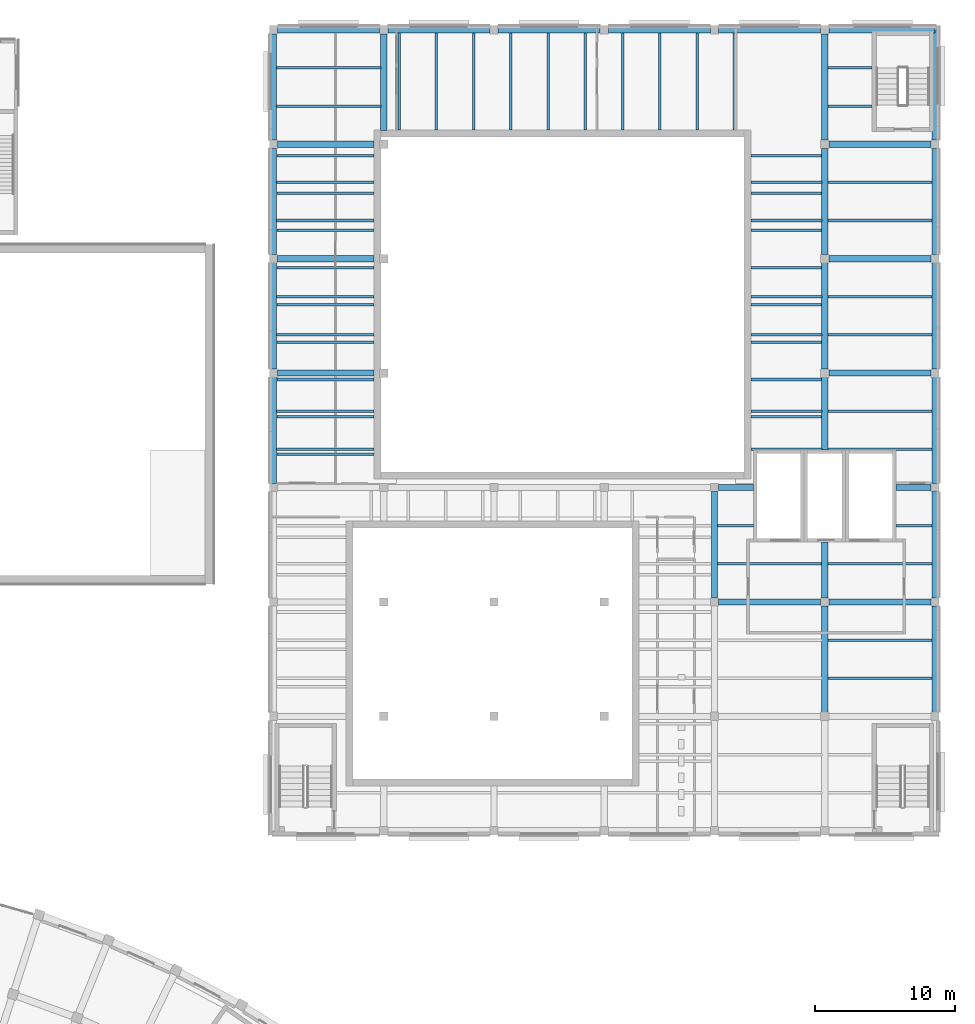
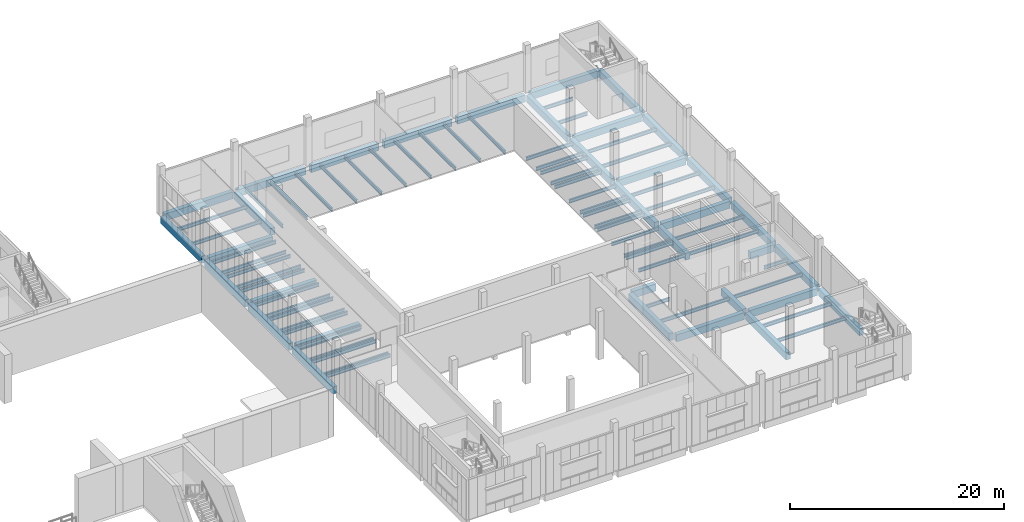
# One storey, part 29 of 112: 89 beams.
"""IFC4 building model written with IfcOpenShell, lengths in metres."""

from ifc_helpers import new_model, si_unit, direction, frame, origin, origin_2d, place, context, subcontext, project, spatial, rectangle, i_section, extrude, material, material_profile, profile_set, type_object, element, save


model = new_model("IFC4")

# Units and contexts
model_context = context("Model", 3, precision=1e-05, world=origin(), true_north=direction((0.0, 1.0)))
body_context = subcontext(model_context, "Body", "Model", "MODEL_VIEW")
ifc_project = project(units=[si_unit("LENGTHUNIT", "METRE"), si_unit("AREAUNIT", "SQUARE_METRE"), si_unit("VOLUMEUNIT", "CUBIC_METRE"), si_unit("PLANEANGLEUNIT", "RADIAN"), si_unit("MASSUNIT", "GRAM", prefix="KILO")], contexts=[model_context])

# Site, building, storey
site_placement = place(None, origin())
site = spatial("IfcSite", under=ifc_project, at=site_placement, CompositionType="ELEMENT")
building_placement = place(site_placement, origin())
building = spatial("IfcBuilding", under=site, at=building_placement, Name="Lunette Opera House", CompositionType="ELEMENT")
storey_placement = place(building_placement, frame((0.0, 0.0, 6.0)))
storey = spatial("IfcBuildingStorey", under=building, at=storey_placement, Name="L01", CompositionType="ELEMENT", Elevation=6.0)

# Beams
ifc_material_1 = material(Name="Concrete C35/45", Category="concrete")
ifc_material_profile_1 = material_profile(ifc_material_1, rectangle(XDim=0.449951171875, YDim=0.800048828125, at=origin_2d()), Name="RC BEAM 450X800")
ifc_profile_set_1 = profile_set([ifc_material_profile_1], Name="Concrete C35/45")
beam_type_1 = type_object("IfcBeamType", Name="RC BEAM 450X800", PredefinedType="BEAM", material=ifc_profile_set_1)
for number, where, z_axis, x_axis, name in (
    (1, (136.300048828125, 103.18994140625, -0.550048828125), (0.0, 1.0, 0.0), (-1.0, 0.0, 0.0), "beam-WW-L01-L01-GY03"),
    (2, (136.300048828125, 111.389892578125, -0.550048828125), (0.0, 1.0, 0.0), (-1.0, 0.0, 0.0), "beam-WW-L01-L01-GY04"),
):
    element("IfcBeam", number, at=place(storey_placement, frame(where, z_axis=z_axis, x_axis=x_axis)), inside=storey, type_object=beam_type_1, Name=name, PredefinedType="BEAM", context=body_context, shape_type="SweptSolid", body=[
        extrude(rectangle(XDim=0.449951171875, YDim=0.800048828125, at=origin_2d()), origin(), (0.0, 0.0, 1.0), 7.6201171875),
    ])
for number, where, z_axis, x_axis, name in (
    (3, (136.300048828125, 119.590087890625, -0.550048828125), (0.0, 1.0, 0.0), (-1.0, 0.0, 0.0), "beam-WW-L01-L01-GY05"),
    (4, (136.300048828125, 127.7900390625, -0.550048828125), (0.0, 1.0, 0.0), (-1.0, 0.0, 0.0), "beam-WW-L01-L01-GY06"),
):
    element("IfcBeam", number, at=place(storey_placement, frame(where, z_axis=z_axis, x_axis=x_axis)), inside=storey, type_object=beam_type_1, Name=name, PredefinedType="BEAM", context=body_context, shape_type="SweptSolid", body=[
        extrude(rectangle(XDim=0.449951171875, YDim=0.800048828125, at=origin_2d()), origin(), (0.0, 0.0, 1.0), 7.619873046875),
    ])
beam_1_placement = place(storey_placement, frame((144.199951171875, 128.489990234375, -0.550048828125), z_axis=(0.0, 1.0, 0.0), x_axis=(-1.0, 0.0, 0.0)))
element("IfcBeam", 5, at=beam_1_placement, inside=storey, type_object=beam_type_1, Name="beam-WW-L01-L01-GY16", PredefinedType="BEAM", context=body_context, shape_type="SweptSolid", body=[
    extrude(rectangle(XDim=0.449951171875, YDim=0.800048828125, at=origin_2d()), origin(), (0.0, 0.0, 1.0), 6.919921875),
])
beam_2_placement = place(storey_placement, frame((167.89990234375, 94.989990234375, -0.550048828125), z_axis=(0.0, 1.0, 0.0), x_axis=(-1.0, 0.0, 0.0)))
element("IfcBeam", 6, at=beam_2_placement, inside=storey, type_object=beam_type_1, Name="beam-WW-L01-L01-GY42", PredefinedType="BEAM", context=body_context, shape_type="SweptSolid", body=[
    extrude(rectangle(XDim=0.449951171875, YDim=0.800048828125, at=origin_2d()), origin(), (0.0, 0.0, 1.0), 7.6201171875),
])
beam_3_placement = place(storey_placement, frame((175.800048828125, 86.7900390625, -0.550048828125), z_axis=(0.0, 1.0, 0.0), x_axis=(-1.0, 0.0, 0.0)))
element("IfcBeam", 7, at=beam_3_placement, inside=storey, type_object=beam_type_1, Name="beam-WW-L01-L01-GY51", PredefinedType="BEAM", context=body_context, shape_type="SweptSolid", body=[
    extrude(rectangle(XDim=0.449951171875, YDim=0.800048828125, at=origin_2d()), origin(), (0.0, 0.0, 1.0), 7.619873046875),
])
beam_4_placement = place(storey_placement, frame((175.800048828125, 94.989990234375, -0.550048828125), z_axis=(0.0, 1.0, 0.0), x_axis=(-1.0, 0.0, 0.0)))
element("IfcBeam", 8, at=beam_4_placement, inside=storey, type_object=beam_type_1, Name="beam-WW-L01-L01-GY52", PredefinedType="BEAM", context=body_context, shape_type="SweptSolid", body=[
    extrude(rectangle(XDim=0.449951171875, YDim=0.800048828125, at=origin_2d()), origin(), (0.0, 0.0, 1.0), 4.02001953125),
])
beam_5_placement = place(storey_placement, frame((175.800048828125, 105.590087890625, -0.550048828125), z_axis=(0.0, 1.0, 0.0), x_axis=(-1.0, 0.0, 0.0)))
element("IfcBeam", 9, at=beam_5_placement, inside=storey, type_object=beam_type_1, Name="beam-WW-L01-L01-GY53", PredefinedType="BEAM", context=body_context, shape_type="SweptSolid", body=[
    extrude(rectangle(XDim=0.449951171875, YDim=0.800048828125, at=origin_2d()), origin(), (0.0, 0.0, 1.0), 5.219970703125),
])
beam_6_placement = place(storey_placement, frame((175.800048828125, 111.389892578125, -0.550048828125), z_axis=(0.0, 1.0, 0.0), x_axis=(-1.0, 0.0, 0.0)))
element("IfcBeam", 10, at=beam_6_placement, inside=storey, type_object=beam_type_1, Name="beam-WW-L01-L01-GY54", PredefinedType="BEAM", context=body_context, shape_type="SweptSolid", body=[
    extrude(rectangle(XDim=0.449951171875, YDim=0.800048828125, at=origin_2d()), origin(), (0.0, 0.0, 1.0), 7.6201171875),
])
for number, where, z_axis, x_axis, name in (
    (11, (175.800048828125, 119.590087890625, -0.550048828125), (0.0, 1.0, 0.0), (-1.0, 0.0, 0.0), "beam-WW-L01-L01-GY55"),
    (12, (175.800048828125, 127.7900390625, -0.550048828125), (0.0, 1.0, 0.0), (-1.0, 0.0, 0.0), "beam-WW-L01-L01-GY56"),
    (13, (183.699951171875, 86.7900390625, -0.550048828125), (0.0, 1.0, 0.0), (-1.0, 0.0, 0.0), "beam-WW-L01-L01-GY61"),
):
    element("IfcBeam", number, at=place(storey_placement, frame(where, z_axis=z_axis, x_axis=x_axis)), inside=storey, type_object=beam_type_1, Name=name, PredefinedType="BEAM", context=body_context, shape_type="SweptSolid", body=[
        extrude(rectangle(XDim=0.449951171875, YDim=0.800048828125, at=origin_2d()), origin(), (0.0, 0.0, 1.0), 7.619873046875),
    ])
for number, where, z_axis, x_axis, name in (
    (14, (183.699951171875, 94.989990234375, -0.550048828125), (0.0, 1.0, 0.0), (-1.0, 0.0, 0.0), "beam-WW-L01-L01-GY62"),
    (15, (183.699951171875, 103.18994140625, -0.550048828125), (0.0, 1.0, 0.0), (-1.0, 0.0, 0.0), "beam-WW-L01-L01-GY63"),
    (16, (183.699951171875, 111.389892578125, -0.550048828125), (0.0, 1.0, 0.0), (-1.0, 0.0, 0.0), "beam-WW-L01-L01-GY64"),
):
    element("IfcBeam", number, at=place(storey_placement, frame(where, z_axis=z_axis, x_axis=x_axis)), inside=storey, type_object=beam_type_1, Name=name, PredefinedType="BEAM", context=body_context, shape_type="SweptSolid", body=[
        extrude(rectangle(XDim=0.449951171875, YDim=0.800048828125, at=origin_2d()), origin(), (0.0, 0.0, 1.0), 7.6201171875),
    ])
beam_7_placement = place(storey_placement, frame((183.699951171875, 119.590087890625, -0.550048828125), z_axis=(0.0, 1.0, 0.0), x_axis=(-1.0, 0.0, 0.0)))
element("IfcBeam", 17, at=beam_7_placement, inside=storey, type_object=beam_type_1, Name="beam-WW-L01-L01-GY65", PredefinedType="BEAM", context=body_context, shape_type="SweptSolid", body=[
    extrude(rectangle(XDim=0.449951171875, YDim=0.800048828125, at=origin_2d()), origin(), (0.0, 0.0, 1.0), 7.619873046875),
])
beam_8_placement = place(storey_placement, frame((183.699951171875, 127.7900390625, -0.550048828125), z_axis=(0.0, 1.0, 0.0), x_axis=(-1.0, 0.0, 0.0)))
element("IfcBeam", 18, at=beam_8_placement, inside=storey, type_object=beam_type_1, Name="beam-WW-L01-L01-GY66", PredefinedType="BEAM", context=body_context, shape_type="SweptSolid", body=[
    extrude(rectangle(XDim=0.449951171875, YDim=0.800048828125, at=origin_2d()), origin(), (0.0, 0.0, 1.0), 7.909912109375),
])
beam_9_placement = place(storey_placement, frame((168.18994140625, 94.699951171875, -0.550048828125), z_axis=(1.0, 0.0, 0.0), x_axis=(0.0, 1.0, 0.0)))
element("IfcBeam", 19, at=beam_9_placement, inside=storey, type_object=beam_type_1, Name="beam-WW-L01-L01-GX42", PredefinedType="BEAM", context=body_context, shape_type="SweptSolid", body=[
    extrude(rectangle(XDim=0.449951171875, YDim=0.800048828125, at=origin_2d()), origin(), (0.0, 0.0, 1.0), 7.320068359375),
])
beam_10_placement = place(storey_placement, frame((176.090087890625, 94.699951171875, -0.550048828125), z_axis=(1.0, 0.0, 0.0), x_axis=(0.0, 1.0, 0.0)))
element("IfcBeam", 20, at=beam_10_placement, inside=storey, type_object=beam_type_1, Name="beam-WW-L01-L01-GX52", PredefinedType="BEAM", context=body_context, shape_type="SweptSolid", body=[
    extrude(rectangle(XDim=0.449951171875, YDim=0.800048828125, at=origin_2d()), origin(), (0.0, 0.0, 1.0), 7.31982421875),
])
for number, where, z_axis, x_axis, name in (
    (21, (168.18994140625, 102.89990234375, -0.550048828125), (1.0, 0.0, 0.0), (0.0, 1.0, 0.0), "beam-WW-L01-L01-GX43"),
    (22, (180.889892578125, 102.89990234375, -0.550048828125), (1.0, 0.0, 0.0), (0.0, 1.0, 0.0), "beam-WW-L01-L01-GX53"),
):
    element("IfcBeam", number, at=place(storey_placement, frame(where, z_axis=z_axis, x_axis=x_axis)), inside=storey, type_object=beam_type_1, Name=name, PredefinedType="BEAM", context=body_context, shape_type="SweptSolid", body=[
        extrude(rectangle(XDim=0.449951171875, YDim=0.800048828125, at=origin_2d()), origin(), (0.0, 0.0, 1.0), 2.52001953125),
    ])
beam_11_placement = place(storey_placement, frame((136.590087890625, 111.10009765625, -0.550048828125), z_axis=(1.0, 0.0, 0.0), x_axis=(0.0, 1.0, 0.0)))
element("IfcBeam", 23, at=beam_11_placement, inside=storey, type_object=beam_type_1, Name="beam-WW-L01-L01-GX04", PredefinedType="BEAM", context=body_context, shape_type="SweptSolid", body=[
    extrude(rectangle(XDim=0.449951171875, YDim=0.800048828125, at=origin_2d()), origin(), (0.0, 0.0, 1.0), 6.919921875),
])
beam_12_placement = place(storey_placement, frame((176.090087890625, 111.10009765625, -0.550048828125), z_axis=(1.0, 0.0, 0.0), x_axis=(0.0, 1.0, 0.0)))
element("IfcBeam", 24, at=beam_12_placement, inside=storey, type_object=beam_type_1, Name="beam-WW-L01-L01-GX54", PredefinedType="BEAM", context=body_context, shape_type="SweptSolid", body=[
    extrude(rectangle(XDim=0.449951171875, YDim=0.800048828125, at=origin_2d()), origin(), (0.0, 0.0, 1.0), 7.31982421875),
])
beam_13_placement = place(storey_placement, frame((136.590087890625, 119.300048828125, -0.550048828125), z_axis=(1.0, 0.0, 0.0), x_axis=(0.0, 1.0, 0.0)))
element("IfcBeam", 25, at=beam_13_placement, inside=storey, type_object=beam_type_1, Name="beam-WW-L01-L01-GX05", PredefinedType="BEAM", context=body_context, shape_type="SweptSolid", body=[
    extrude(rectangle(XDim=0.449951171875, YDim=0.800048828125, at=origin_2d()), origin(), (0.0, 0.0, 1.0), 6.919921875),
])
beam_14_placement = place(storey_placement, frame((176.090087890625, 119.300048828125, -0.550048828125), z_axis=(1.0, 0.0, 0.0), x_axis=(0.0, 1.0, 0.0)))
element("IfcBeam", 26, at=beam_14_placement, inside=storey, type_object=beam_type_1, Name="beam-WW-L01-L01-GX55", PredefinedType="BEAM", context=body_context, shape_type="SweptSolid", body=[
    extrude(rectangle(XDim=0.449951171875, YDim=0.800048828125, at=origin_2d()), origin(), (0.0, 0.0, 1.0), 7.31982421875),
])
beam_15_placement = place(storey_placement, frame((136.590087890625, 127.5, -0.550048828125), z_axis=(1.0, 0.0, 0.0), x_axis=(0.0, 1.0, 0.0)))
element("IfcBeam", 27, at=beam_15_placement, inside=storey, type_object=beam_type_1, Name="beam-WW-L01-L01-GX06", PredefinedType="BEAM", context=body_context, shape_type="SweptSolid", body=[
    extrude(rectangle(XDim=0.449951171875, YDim=0.800048828125, at=origin_2d()), origin(), (0.0, 0.0, 1.0), 6.919921875),
])
for number, where, z_axis, x_axis, name in (
    (28, (176.090087890625, 127.5, -0.550048828125), (1.0, 0.0, 0.0), (0.0, 1.0, 0.0), "beam-WW-L01-L01-GX56"),
    (29, (136.590087890625, 135.699951171875, -0.550048828125), (1.0, 0.0, 0.0), (0.0, 1.0, 0.0), "beam-WW-L01-L01-GX07"),
):
    element("IfcBeam", number, at=place(storey_placement, frame(where, z_axis=z_axis, x_axis=x_axis)), inside=storey, type_object=beam_type_1, Name=name, PredefinedType="BEAM", context=body_context, shape_type="SweptSolid", body=[
        extrude(rectangle(XDim=0.449951171875, YDim=0.800048828125, at=origin_2d()), origin(), (0.0, 0.0, 1.0), 7.31982421875),
    ])
for number, where, z_axis, x_axis, name in (
    (30, (144.489990234375, 135.699951171875, -0.550048828125), (1.0, 0.0, 0.0), (0.0, 1.0, 0.0), "beam-WW-L01-L01-GX17"),
    (31, (152.389892578125, 135.699951171875, -0.550048828125), (1.0, 0.0, 0.0), (0.0, 1.0, 0.0), "beam-WW-L01-L01-GX27"),
    (32, (160.2900390625, 135.699951171875, -0.550048828125), (1.0, 0.0, 0.0), (0.0, 1.0, 0.0), "beam-WW-L01-L01-GX37"),
    (33, (168.18994140625, 135.699951171875, -0.550048828125), (1.0, 0.0, 0.0), (0.0, 1.0, 0.0), "beam-WW-L01-L01-GX47"),
):
    element("IfcBeam", number, at=place(storey_placement, frame(where, z_axis=z_axis, x_axis=x_axis)), inside=storey, type_object=beam_type_1, Name=name, PredefinedType="BEAM", context=body_context, shape_type="SweptSolid", body=[
        extrude(rectangle(XDim=0.449951171875, YDim=0.800048828125, at=origin_2d()), origin(), (0.0, 0.0, 1.0), 7.320068359375),
    ])
beam_16_placement = place(storey_placement, frame((176.090087890625, 135.699951171875, -0.550048828125), z_axis=(1.0, 0.0, 0.0), x_axis=(0.0, 1.0, 0.0)))
element("IfcBeam", 34, at=beam_16_placement, inside=storey, type_object=beam_type_1, Name="beam-WW-L01-L01-GX57", PredefinedType="BEAM", context=body_context, shape_type="SweptSolid", body=[
    extrude(rectangle(XDim=0.449951171875, YDim=0.800048828125, at=origin_2d()), origin(), (0.0, 0.0, 1.0), 7.60986328125),
])
ifc_material_2 = material(Name="Steel S355", Category="steel")
ifc_material_profile_2 = material_profile(ifc_material_2, i_section(OverallWidth=0.179931640625, OverallDepth=0.39990234375, WebThickness=0.008544921875, FlangeThickness=0.013427734375, FilletRadius=0.02099609375, at=origin_2d()), Name="IPE 400")
ifc_profile_set_2 = profile_set([ifc_material_profile_2], Name="Steel S355")
beam_type_2 = type_object("IfcBeamType", Name="STEEL BEAM IPE 400", PredefinedType="BEAM", material=ifc_profile_set_2)
for number, where, z_axis, x_axis, name in (
    (35, (136.514892578125, 105.633056640625, -0.35009765625), (1.0, 0.0, 0.0), (0.0, 1.0, 0.0), "beam-WW-L01-L01-SX031"),
    (36, (136.514892578125, 108.366943359375, -0.35009765625), (1.0, 0.0, 0.0), (0.0, 1.0, 0.0), "beam-WW-L01-L01-SX032"),
    (37, (136.514892578125, 113.8330078125, -0.35009765625), (1.0, 0.0, 0.0), (0.0, 1.0, 0.0), "beam-WW-L01-L01-SX041"),
    (38, (136.514892578125, 116.56689453125, -0.35009765625), (1.0, 0.0, 0.0), (0.0, 1.0, 0.0), "beam-WW-L01-L01-SX042"),
    (39, (136.514892578125, 122.032958984375, -0.35009765625), (1.0, 0.0, 0.0), (0.0, 1.0, 0.0), "beam-WW-L01-L01-SX051"),
    (40, (136.514892578125, 124.76708984375, -0.35009765625), (1.0, 0.0, 0.0), (0.0, 1.0, 0.0), "beam-WW-L01-L01-SX052"),
):
    element("IfcBeam", number, at=place(storey_placement, frame(where, z_axis=z_axis, x_axis=x_axis)), inside=storey, type_object=beam_type_2, Name=name, PredefinedType="BEAM", context=body_context, shape_type="SweptSolid", body=[
        extrude(i_section(OverallWidth=0.179931640625, OverallDepth=0.39990234375, WebThickness=0.008544921875, FlangeThickness=0.013427734375, FilletRadius=0.02099609375, at=origin_2d()), origin(), (0.0, 0.0, 1.0), 6.985107421875),
    ])
for number, where, z_axis, x_axis, name in (
    (41, (136.514892578125, 130.23291015625, -0.35009765625), (1.0, 0.0, 0.0), (0.0, 1.0, 0.0), "beam-WW-L01-L01-SX061"),
    (42, (136.514892578125, 132.967041015625, -0.35009765625), (1.0, 0.0, 0.0), (0.0, 1.0, 0.0), "beam-WW-L01-L01-SX062"),
):
    element("IfcBeam", number, at=place(storey_placement, frame(where, z_axis=z_axis, x_axis=x_axis)), inside=storey, type_object=beam_type_2, Name=name, PredefinedType="BEAM", context=body_context, shape_type="SweptSolid", body=[
        extrude(i_section(OverallWidth=0.179931640625, OverallDepth=0.39990234375, WebThickness=0.008544921875, FlangeThickness=0.013427734375, FilletRadius=0.02099609375, at=origin_2d()), origin(), (0.0, 0.0, 1.0), 7.47021484375),
    ])
beam_17_placement = place(storey_placement, frame((168.114990234375, 97.43310546875, -0.35009765625), z_axis=(1.0, 0.0, 0.0), x_axis=(0.0, 1.0, 0.0)))
element("IfcBeam", 43, at=beam_17_placement, inside=storey, type_object=beam_type_2, Name="beam-WW-L01-L01-SX421", PredefinedType="BEAM", context=body_context, shape_type="SweptSolid", body=[
    extrude(i_section(OverallWidth=0.179931640625, OverallDepth=0.39990234375, WebThickness=0.008544921875, FlangeThickness=0.013427734375, FilletRadius=0.02099609375, at=origin_2d()), origin(), (0.0, 0.0, 1.0), 7.469970703125),
])
beam_18_placement = place(storey_placement, frame((168.114990234375, 100.1669921875, -0.35009765625), z_axis=(1.0, 0.0, 0.0), x_axis=(0.0, 1.0, 0.0)))
element("IfcBeam", 44, at=beam_18_placement, inside=storey, type_object=beam_type_2, Name="beam-WW-L01-L01-SX422", PredefinedType="BEAM", context=body_context, shape_type="SweptSolid", body=[
    extrude(i_section(OverallWidth=0.179931640625, OverallDepth=0.39990234375, WebThickness=0.008544921875, FlangeThickness=0.013427734375, FilletRadius=0.02099609375, at=origin_2d()), origin(), (0.0, 0.0, 1.0), 2.5849609375),
])
for number, where, z_axis, x_axis, name in (
    (45, (170.5, 105.633056640625, -0.35009765625), (1.0, 0.0, 0.0), (0.0, 1.0, 0.0), "beam-WW-L01-L01-SX431-01"),
    (46, (170.5, 108.366943359375, -0.35009765625), (1.0, 0.0, 0.0), (0.0, 1.0, 0.0), "beam-WW-L01-L01-SX432-01"),
    (47, (170.5, 113.8330078125, -0.35009765625), (1.0, 0.0, 0.0), (0.0, 1.0, 0.0), "beam-WW-L01-L01-SX441-01"),
    (48, (170.5, 116.56689453125, -0.35009765625), (1.0, 0.0, 0.0), (0.0, 1.0, 0.0), "beam-WW-L01-L01-SX442-01"),
    (49, (170.5, 122.032958984375, -0.35009765625), (1.0, 0.0, 0.0), (0.0, 1.0, 0.0), "beam-WW-L01-L01-SX451-01"),
    (50, (170.5, 124.76708984375, -0.35009765625), (1.0, 0.0, 0.0), (0.0, 1.0, 0.0), "beam-WW-L01-L01-SX452-01"),
):
    element("IfcBeam", number, at=place(storey_placement, frame(where, z_axis=z_axis, x_axis=x_axis)), inside=storey, type_object=beam_type_2, Name=name, PredefinedType="BEAM", context=body_context, shape_type="SweptSolid", body=[
        extrude(i_section(OverallWidth=0.179931640625, OverallDepth=0.39990234375, WebThickness=0.008544921875, FlangeThickness=0.013427734375, FilletRadius=0.02099609375, at=origin_2d()), origin(), (0.0, 0.0, 1.0), 5.0849609375),
    ])
for number, where, z_axis, x_axis, name in (
    (51, (176.014892578125, 89.23291015625, -0.35009765625), (1.0, 0.0, 0.0), (0.0, 1.0, 0.0), "beam-WW-L01-L01-SX511"),
    (52, (176.014892578125, 91.967041015625, -0.35009765625), (1.0, 0.0, 0.0), (0.0, 1.0, 0.0), "beam-WW-L01-L01-SX512"),
    (53, (176.014892578125, 97.43310546875, -0.35009765625), (1.0, 0.0, 0.0), (0.0, 1.0, 0.0), "beam-WW-L01-L01-SX521"),
):
    element("IfcBeam", number, at=place(storey_placement, frame(where, z_axis=z_axis, x_axis=x_axis)), inside=storey, type_object=beam_type_2, Name=name, PredefinedType="BEAM", context=body_context, shape_type="SweptSolid", body=[
        extrude(i_section(OverallWidth=0.179931640625, OverallDepth=0.39990234375, WebThickness=0.008544921875, FlangeThickness=0.013427734375, FilletRadius=0.02099609375, at=origin_2d()), origin(), (0.0, 0.0, 1.0), 7.47021484375),
    ])
beam_19_placement = place(storey_placement, frame((180.89990234375, 100.1669921875, -0.35009765625), z_axis=(1.0, 0.0, 0.0), x_axis=(0.0, 1.0, 0.0)))
element("IfcBeam", 54, at=beam_19_placement, inside=storey, type_object=beam_type_2, Name="beam-WW-L01-L01-SX522", PredefinedType="BEAM", context=body_context, shape_type="SweptSolid", body=[
    extrude(i_section(OverallWidth=0.179931640625, OverallDepth=0.39990234375, WebThickness=0.008544921875, FlangeThickness=0.013427734375, FilletRadius=0.02099609375, at=origin_2d()), origin(), (0.0, 0.0, 1.0), 2.585205078125),
])
for number, where, z_axis, x_axis, name in (
    (55, (176.014892578125, 105.633056640625, -0.35009765625), (1.0, 0.0, 0.0), (0.0, 1.0, 0.0), "beam-WW-L01-L01-SX531"),
    (56, (176.014892578125, 108.366943359375, -0.35009765625), (1.0, 0.0, 0.0), (0.0, 1.0, 0.0), "beam-WW-L01-L01-SX532"),
    (57, (176.014892578125, 113.8330078125, -0.35009765625), (1.0, 0.0, 0.0), (0.0, 1.0, 0.0), "beam-WW-L01-L01-SX541"),
    (58, (176.014892578125, 116.56689453125, -0.35009765625), (1.0, 0.0, 0.0), (0.0, 1.0, 0.0), "beam-WW-L01-L01-SX542"),
    (59, (176.014892578125, 122.032958984375, -0.35009765625), (1.0, 0.0, 0.0), (0.0, 1.0, 0.0), "beam-WW-L01-L01-SX551"),
    (60, (176.014892578125, 124.76708984375, -0.35009765625), (1.0, 0.0, 0.0), (0.0, 1.0, 0.0), "beam-WW-L01-L01-SX552"),
):
    element("IfcBeam", number, at=place(storey_placement, frame(where, z_axis=z_axis, x_axis=x_axis)), inside=storey, type_object=beam_type_2, Name=name, PredefinedType="BEAM", context=body_context, shape_type="SweptSolid", body=[
        extrude(i_section(OverallWidth=0.179931640625, OverallDepth=0.39990234375, WebThickness=0.008544921875, FlangeThickness=0.013427734375, FilletRadius=0.02099609375, at=origin_2d()), origin(), (0.0, 0.0, 1.0), 7.47021484375),
    ])
for number, where, z_axis, x_axis, name in (
    (61, (176.014892578125, 130.23291015625, -0.35009765625), (1.0, 0.0, 0.0), (0.0, 1.0, 0.0), "beam-WW-L01-L01-SX561"),
    (62, (176.014892578125, 132.967041015625, -0.35009765625), (1.0, 0.0, 0.0), (0.0, 1.0, 0.0), "beam-WW-L01-L01-SX562"),
):
    element("IfcBeam", number, at=place(storey_placement, frame(where, z_axis=z_axis, x_axis=x_axis)), inside=storey, type_object=beam_type_2, Name=name, PredefinedType="BEAM", context=body_context, shape_type="SweptSolid", body=[
        extrude(i_section(OverallWidth=0.179931640625, OverallDepth=0.39990234375, WebThickness=0.008544921875, FlangeThickness=0.013427734375, FilletRadius=0.02099609375, at=origin_2d()), origin(), (0.0, 0.0, 1.0), 3.18505859375),
    ])
for number, where, z_axis, x_axis, name in (
    (63, (145.300048828125, 128.5, -0.35009765625), (0.0, 1.0, 0.0), (-1.0, 0.0, 0.0), "beam-WW-L01-L01-RJN1441040"),
    (64, (147.969970703125, 128.5, -0.35009765625), (0.0, 1.0, 0.0), (-1.0, 0.0, 0.0), "beam-WW-L01-L01-RJN1441041"),
    (65, (150.639892578125, 128.5, -0.35009765625), (0.0, 1.0, 0.0), (-1.0, 0.0, 0.0), "beam-WW-L01-L01-RJN1441042"),
    (66, (153.31005859375, 128.5, -0.35009765625), (0.0, 1.0, 0.0), (-1.0, 0.0, 0.0), "beam-WW-L01-L01-RJN1441043"),
    (67, (155.97998046875, 128.5, -0.35009765625), (0.0, 1.0, 0.0), (-1.0, 0.0, 0.0), "beam-WW-L01-L01-RJN1441044"),
    (68, (158.64990234375, 128.5, -0.35009765625), (0.0, 1.0, 0.0), (-1.0, 0.0, 0.0), "beam-WW-L01-L01-RJN1441045"),
    (69, (161.320068359375, 128.5, -0.35009765625), (0.0, 1.0, 0.0), (-1.0, 0.0, 0.0), "beam-WW-L01-L01-RJN1441046"),
    (70, (163.989990234375, 128.5, -0.35009765625), (0.0, 1.0, 0.0), (-1.0, 0.0, 0.0), "beam-WW-L01-L01-RJN1441047"),
    (71, (166.659912109375, 128.5, -0.35009765625), (0.0, 1.0, 0.0), (-1.0, 0.0, 0.0), "beam-WW-L01-L01-RJN1441048"),
    (72, (169.330078125, 128.5, -0.35009765625), (0.0, 1.0, 0.0), (-1.0, 0.0, 0.0), "beam-WW-L01-L01-RJN1441049"),
    (73, (143.5, 105.300048828125, -0.35009765625), (-1.0, 0.0, 0.0), (0.0, -1.0, 0.0), "beam-WW-L01-L01-RJW1441040"),
    (74, (143.5, 107.969970703125, -0.35009765625), (-1.0, 0.0, 0.0), (0.0, -1.0, 0.0), "beam-WW-L01-L01-RJW1441041"),
    (75, (143.5, 110.639892578125, -0.35009765625), (-1.0, 0.0, 0.0), (0.0, -1.0, 0.0), "beam-WW-L01-L01-RJW1441042"),
    (76, (143.5, 113.31005859375, -0.35009765625), (-1.0, 0.0, 0.0), (0.0, -1.0, 0.0), "beam-WW-L01-L01-RJW1441043"),
    (77, (143.5, 115.97998046875, -0.35009765625), (-1.0, 0.0, 0.0), (0.0, -1.0, 0.0), "beam-WW-L01-L01-RJW1441044"),
    (78, (143.5, 118.64990234375, -0.35009765625), (-1.0, 0.0, 0.0), (0.0, -1.0, 0.0), "beam-WW-L01-L01-RJW1441045"),
    (79, (143.5, 121.320068359375, -0.35009765625), (-1.0, 0.0, 0.0), (0.0, -1.0, 0.0), "beam-WW-L01-L01-RJW1441046"),
    (80, (143.5, 123.989990234375, -0.35009765625), (-1.0, 0.0, 0.0), (0.0, -1.0, 0.0), "beam-WW-L01-L01-RJW1441047"),
    (81, (143.5, 126.659912109375, -0.35009765625), (-1.0, 0.0, 0.0), (0.0, -1.0, 0.0), "beam-WW-L01-L01-RJW1441048"),
):
    element("IfcBeam", number, at=place(storey_placement, frame(where, z_axis=z_axis, x_axis=x_axis)), inside=storey, type_object=beam_type_2, Name=name, PredefinedType="BEAM", context=body_context, shape_type="SweptSolid", body=[
        extrude(i_section(OverallWidth=0.179931640625, OverallDepth=0.39990234375, WebThickness=0.008544921875, FlangeThickness=0.013427734375, FilletRadius=0.02099609375, at=origin_2d()), origin(), (0.0, 0.0, 1.0), 6.965087890625),
    ])
for number, where, z_axis, x_axis, name in (
    (82, (170.5, 107.969970703125, -0.35009765625), (1.0, 0.0, 0.0), (0.0, 1.0, 0.0), "beam-WW-L01-L01-RJE1441041"),
    (83, (170.5, 110.639892578125, -0.35009765625), (1.0, 0.0, 0.0), (0.0, 1.0, 0.0), "beam-WW-L01-L01-RJE1441042"),
    (84, (170.5, 113.31005859375, -0.35009765625), (1.0, 0.0, 0.0), (0.0, 1.0, 0.0), "beam-WW-L01-L01-RJE1441043"),
    (85, (170.5, 115.97998046875, -0.35009765625), (1.0, 0.0, 0.0), (0.0, 1.0, 0.0), "beam-WW-L01-L01-RJE1441044"),
    (86, (170.5, 118.64990234375, -0.35009765625), (1.0, 0.0, 0.0), (0.0, 1.0, 0.0), "beam-WW-L01-L01-RJE1441045"),
    (87, (170.5, 121.320068359375, -0.35009765625), (1.0, 0.0, 0.0), (0.0, 1.0, 0.0), "beam-WW-L01-L01-RJE1441046"),
    (88, (170.5, 123.989990234375, -0.35009765625), (1.0, 0.0, 0.0), (0.0, 1.0, 0.0), "beam-WW-L01-L01-RJE1441047"),
    (89, (170.5, 126.659912109375, -0.35009765625), (1.0, 0.0, 0.0), (0.0, 1.0, 0.0), "beam-WW-L01-L01-RJE1441048"),
):
    element("IfcBeam", number, at=place(storey_placement, frame(where, z_axis=z_axis, x_axis=x_axis)), inside=storey, type_object=beam_type_2, Name=name, PredefinedType="BEAM", context=body_context, shape_type="SweptSolid", body=[
        extrude(i_section(OverallWidth=0.179931640625, OverallDepth=0.39990234375, WebThickness=0.008544921875, FlangeThickness=0.013427734375, FilletRadius=0.02099609375, at=origin_2d()), origin(), (0.0, 0.0, 1.0), 5.06494140625),
    ])

save(model, "model.ifc")
